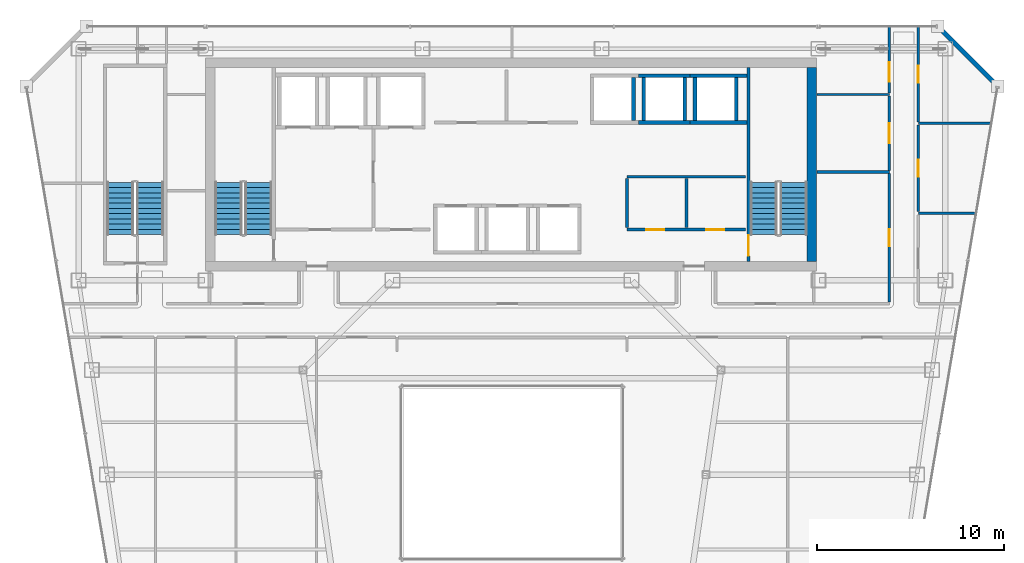
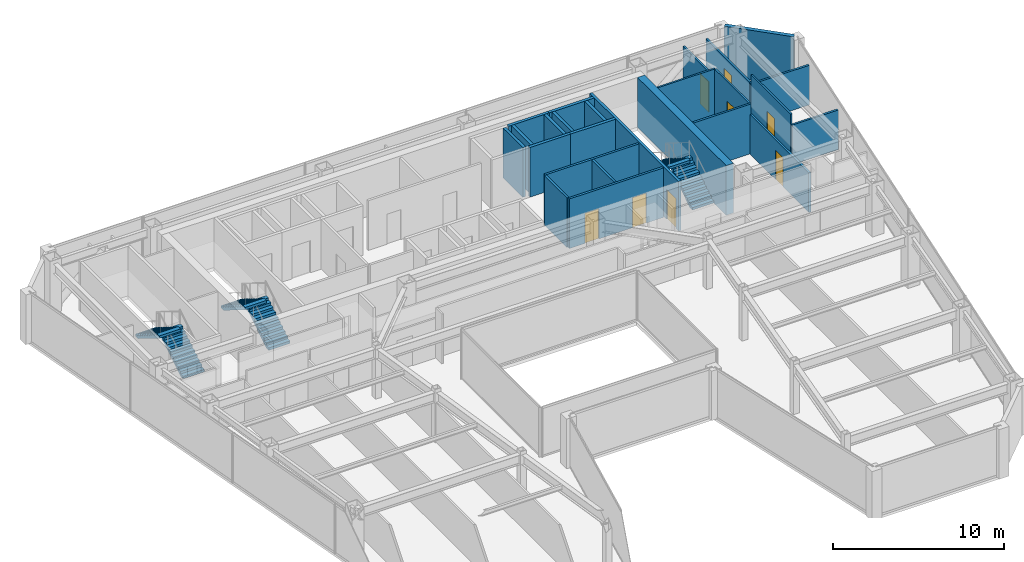
# One storey, part 32 of 36: 25 walls, 8 doors, 6 stair flights, 8 openings, 3 elements without a shape of their own.
"""IFC4 building model written with IfcOpenShell, lengths in metres."""

from ifc_helpers import new_model, si_unit, direction, frame, frame_2d, origin, place, context, subcontext, project, spatial, polyline, rectangle, outline, extrude, material, layer, layer_set, type_object, element, fill, aggregate, save


model = new_model("IFC4")

# Units and contexts
model_context = context("Model", 3, precision=1e-05, world=origin(), true_north=direction((0.0, 1.0)))
body_context = subcontext(model_context, "Body", "Model", "MODEL_VIEW")
ifc_project = project(units=[si_unit("LENGTHUNIT", "METRE"), si_unit("AREAUNIT", "SQUARE_METRE"), si_unit("VOLUMEUNIT", "CUBIC_METRE"), si_unit("PLANEANGLEUNIT", "RADIAN"), si_unit("MASSUNIT", "GRAM", prefix="KILO")], contexts=[model_context])

# Site, building, storey
site_placement = place(None, origin())
site = spatial("IfcSite", under=ifc_project, at=site_placement, CompositionType="ELEMENT")
building_placement = place(site_placement, origin())
building = spatial("IfcBuilding", under=site, at=building_placement, Name="Saevonmaru Cultural Tower", CompositionType="ELEMENT")
storey_placement = place(building_placement, frame((0.0, 0.0, 198.0)))
storey = spatial("IfcBuildingStorey", under=building, at=storey_placement, Name="L45", CompositionType="ELEMENT", Elevation=198.0)

# Wall
ifc_material_1 = material(Name="Concrete C60/75", Category="concrete")
ifc_layer_1 = layer(ifc_material_1, 0.5, Name="Concrete C60/75")
ifc_layer_set_1 = layer_set([ifc_layer_1], Name="Concrete C60/75")
wall_type_1 = type_object("IfcWallType", Name="WL-CORE-500", PredefinedType="SHEAR", material=ifc_layer_set_1)
wall_1_placement = place(storey_placement, frame((46.050048828125, 43.39990234375, 0.0), z_axis=(0.0, 0.0, 1.0), x_axis=(0.0, 1.0, 0.0)))
element("IfcWall", 1, at=wall_1_placement, inside=storey, type_object=wall_type_1, Name="L45 Tower RC core shear wall E", PredefinedType="SHEAR", context=body_context, shape_type="SweptSolid", body=[
    extrude(rectangle(XDim=10.400146484375, YDim=0.5, at=frame_2d((5.2001953125, 0.0))), origin(), (0.0, 0.0, 1.0), 3.550048828125),
])

# Wall, openings, doors
ifc_material_2 = material(Name="Gypsum Fireboard Partition", Category="gypsum")
ifc_layer_2 = layer(ifc_material_2, 0.14990234375, Name="Gypsum Fireboard Partition")
ifc_layer_set_2 = layer_set([ifc_layer_2], Name="Gypsum Fireboard Partition")
wall_type_2 = type_object("IfcWallType", Name="WL-CORE-PART-150", PredefinedType="PARTITIONING", material=ifc_layer_set_2)
wall_2_placement = place(storey_placement, frame((36.14990234375, 45.1201171875, 0.0), z_axis=(0.0, 0.0, 1.0), x_axis=(1.0, 0.0, 0.0)))
wall_2 = element("IfcWall", 2, at=wall_2_placement, inside=storey, type_object=wall_type_2, Name="L45 Core Cluster South Wall", PredefinedType="PARTITIONING", context=body_context, shape_type="SweptSolid", body=[
    extrude(rectangle(XDim=6.35009765625, YDim=0.14990234375, at=frame_2d((3.175048828125, 0.0))), origin(), (0.0, 0.0, 1.0), 3.550048828125),
])
opening_1_placement = place(wall_2_placement, frame((1.050048828125, 0.0, 0.0)))
opening_1 = element("IfcOpeningElement", 3, at=opening_1_placement, cuts=wall_2, Name="Opening FD-4", PredefinedType="OPENING", context=body_context, shape_type="SweptSolid", body=[
    extrude(rectangle(XDim=0.949951171875, YDim=2.14990234375, at=frame_2d((0.47509765625, 1.074951171875))), frame((0.0, 0.0849609375, 0.0), z_axis=(0.0, -1.0, 0.0), x_axis=(1.0, 0.0, 0.0)), (0.0, 0.0, 1.0), 0.169921875),
])
opening_2_placement = place(wall_2_placement, frame((4.25, 0.0, 0.0)))
opening_2 = element("IfcOpeningElement", 4, at=opening_2_placement, cuts=wall_2, Name="Opening FD-4", PredefinedType="OPENING", context=body_context, shape_type="SweptSolid", body=[
    extrude(rectangle(XDim=0.949951171875, YDim=2.14990234375, at=frame_2d((0.47509765625, 1.074951171875))), frame((0.0, 0.0849609375, 0.0), z_axis=(0.0, -1.0, 0.0), x_axis=(1.0, 0.0, 0.0)), (0.0, 0.0, 1.0), 0.169921875),
])
ifc_material_3 = material(Name="Satin Bronze Anodised Aluminium", Category="aluminium")
door_type_1 = type_object("IfcDoorType", Name="DR-FD60-950", OperationType="SINGLE_SWING_LEFT", PredefinedType="DOOR", material=ifc_material_3)
door_1_placement = place(opening_1_placement, origin())
door_1 = element("IfcDoor", 5, at=door_1_placement, inside=storey, type_object=door_type_1, Name="L45 BMS Control Room Door", OperationType="SINGLE_SWING_LEFT", OverallHeight=2.14990234375, OverallWidth=0.949951171875, PredefinedType="DOOR", context=body_context, shape_type="SweptSolid", body=[
    extrude(rectangle(XDim=0.949951171875, YDim=2.14990234375, at=frame_2d((0.47509765625, 1.074951171875))), frame((0.0, 0.02490234375, 0.0), z_axis=(0.0, -1.0, 0.0), x_axis=(1.0, 0.0, 0.0)), (0.0, 0.0, 1.0), 0.050048828125),
])
fill(opening_1, door_1)
door_2_placement = place(opening_2_placement, origin())
door_2 = element("IfcDoor", 6, at=door_2_placement, inside=storey, type_object=door_type_1, Name="L45 Fibre Node Plant Door", OperationType="SINGLE_SWING_LEFT", OverallHeight=2.14990234375, OverallWidth=0.949951171875, PredefinedType="DOOR", context=body_context, shape_type="SweptSolid", body=[
    extrude(rectangle(XDim=0.949951171875, YDim=2.14990234375, at=frame_2d((0.47509765625, 1.074951171875))), frame((0.0, 0.02490234375, 0.0), z_axis=(0.0, -1.0, 0.0), x_axis=(1.0, 0.0, 0.0)), (0.0, 0.0, 1.0), 0.050048828125),
])
fill(opening_2, door_2)

# Walls
wall_3_placement = place(storey_placement, frame((36.14990234375, 47.949951171875, 0.0), z_axis=(0.0, 0.0, 1.0), x_axis=(1.0, 0.0, 0.0)))
element("IfcWall", 7, at=wall_3_placement, inside=storey, type_object=wall_type_2, Name="L45 Core Cluster North Wall", PredefinedType="PARTITIONING", context=body_context, shape_type="SweptSolid", body=[
    extrude(rectangle(XDim=6.35009765625, YDim=0.14990234375, at=frame_2d((3.175048828125, 0.0))), origin(), (0.0, 0.0, 1.0), 3.550048828125),
])
for number, where, z_axis, x_axis, name in (
    (8, (36.14990234375, 45.219970703125, 0.0), (0.0, 0.0, 1.0), (0.0, 1.0, 0.0), "L45 Core Cluster West Wall"),
    (9, (39.35009765625, 45.219970703125, 0.0), (0.0, 0.0, 1.0), (0.0, 1.0, 0.0), "L45 Core Cluster Inner Split"),
):
    element("IfcWall", number, at=place(storey_placement, frame(where, z_axis=z_axis, x_axis=x_axis)), inside=storey, type_object=wall_type_2, Name=name, PredefinedType="PARTITIONING", context=body_context, shape_type="SweptSolid", body=[
        extrude(rectangle(XDim=2.630126953125, YDim=0.14990234375, at=frame_2d((1.31494140625, 0.0))), origin(), (0.0, 0.0, 1.0), 3.550048828125),
    ])
ifc_material_4 = material(Name="Granite-Clad Precast Concrete C40/50", Category="masonry")
ifc_layer_3 = layer(ifc_material_4, 0.260009765625, Name="Granite-Clad Precast Concrete C40/50")
ifc_layer_set_3 = layer_set([ifc_layer_3], Name="Granite-Clad Precast Concrete C40/50")
wall_type_3 = type_object("IfcWallType", Name="WL-EXT-SPANDREL-260", PredefinedType="STANDARD", material=ifc_layer_set_3)
wall_4_placement = place(storey_placement, frame((55.886962890625, 52.9130859375, 0.0), z_axis=(0.0, 0.0, 1.0), x_axis=(-0.707106781187, 0.707106781187, 0.0)))
element("IfcWall", 10, at=wall_4_placement, inside=storey, type_object=wall_type_3, Name="L45 Chamfer Corner Spandrel Wall E9", PredefinedType="STANDARD", context=body_context, shape_type="SweptSolid", body=[
    extrude(rectangle(XDim=4.205810546875, YDim=0.260009765625, at=frame_2d((2.10302734375, 0.0))), origin(), (0.0, 0.0, 1.0), 3.550048828125),
])
ifc_layer_4 = layer(ifc_material_2, 0.1201171875, Name="Gypsum Fireboard Partition")
ifc_layer_set_4 = layer_set([ifc_layer_4], Name="Gypsum Fireboard Partition")
wall_type_4 = type_object("IfcWallType", Name="WL-PART-GYP-120", PredefinedType="PARTITIONING", material=ifc_layer_set_4)
wall_5_placement = place(storey_placement, frame((46.320068359375, 52.35009765625, 0.0), z_axis=(0.0, 0.0, 1.0), x_axis=(1.0, 0.0, 0.0)))
element("IfcWall", 11, at=wall_5_placement, inside=storey, type_object=wall_type_4, Name="L45 North-East Panorama South Wall", PredefinedType="PARTITIONING", context=body_context, shape_type="SweptSolid", body=[
    extrude(rectangle(XDim=3.8798828125, YDim=0.1201171875, at=frame_2d((1.93994140625, 0.0))), origin(), (0.0, 0.0, 1.0), 3.550048828125),
])

# Wall, opening, door
wall_6_placement = place(storey_placement, frame((50.199951171875, 48.2900390625, 0.0), z_axis=(0.0, 0.0, 1.0), x_axis=(0.0, 1.0, 0.0)))
wall_6 = element("IfcWall", 12, at=wall_6_placement, inside=storey, type_object=wall_type_4, Name="L45 Rare Manuscript Reading Room Corridor Wall", PredefinedType="PARTITIONING", context=body_context, shape_type="SweptSolid", body=[
    extrude(rectangle(XDim=3.97998046875, YDim=0.1201171875, at=frame_2d((1.989990234375, 0.0))), origin(), (0.0, 0.0, 1.0), 3.550048828125),
])
opening_3_placement = place(wall_6_placement, frame((1.465087890625, 0.0, 0.0)))
opening_3 = element("IfcOpeningElement", 13, at=opening_3_placement, cuts=wall_6, Name="Opening ID-1", PredefinedType="OPENING", context=body_context, shape_type="SweptSolid", body=[
    extrude(rectangle(XDim=1.050048828125, YDim=2.14990234375, at=frame_2d((0.52490234375, 1.074951171875))), frame((0.0, 0.070068359375, 0.0), z_axis=(0.0, -1.0, 0.0), x_axis=(1.0, 0.0, 0.0)), (0.0, 0.0, 1.0), 0.14013671875),
])
door_type_2 = type_object("IfcDoorType", Name="DR-INT-1050", OperationType="SINGLE_SWING_LEFT", PredefinedType="DOOR", material=ifc_material_3)
door_3_placement = place(opening_3_placement, origin())
door_3 = element("IfcDoor", 14, at=door_3_placement, inside=storey, type_object=door_type_2, Name="L45 Rare Manuscript Reading Room Door", OperationType="SINGLE_SWING_LEFT", OverallHeight=2.14990234375, OverallWidth=1.050048828125, PredefinedType="DOOR", context=body_context, shape_type="SweptSolid", body=[
    extrude(rectangle(XDim=1.050048828125, YDim=2.14990234375, at=frame_2d((0.52490234375, 1.074951171875))), frame((0.0, 0.02490234375, 0.0), z_axis=(0.0, -1.0, 0.0), x_axis=(1.0, 0.0, 0.0)), (0.0, 0.0, 1.0), 0.050048828125),
])
fill(opening_3, door_3)

wall_7_placement = place(storey_placement, frame((50.199951171875, 52.429931640625, 0.0), z_axis=(0.0, 0.0, 1.0), x_axis=(0.0, 1.0, 0.0)))
wall_7 = element("IfcWall", 15, at=wall_7_placement, inside=storey, type_object=wall_type_4, Name="L45 Cartographic Study Library Corridor Wall", PredefinedType="PARTITIONING", context=body_context, shape_type="SweptSolid", body=[
    extrude(rectangle(XDim=3.565185546875, YDim=0.1201171875, at=frame_2d((1.78271484375, 0.0))), origin(), (0.0, 0.0, 1.0), 2.93505859375),
])
opening_4_placement = place(wall_7_placement, frame((0.596923828125, 0.0, 0.0)))
opening_4 = element("IfcOpeningElement", 16, at=opening_4_placement, cuts=wall_7, Name="Opening ID-1", PredefinedType="OPENING", context=body_context, shape_type="SweptSolid", body=[
    extrude(rectangle(XDim=1.050048828125, YDim=2.14990234375, at=frame_2d((0.52490234375, 1.074951171875))), frame((0.0, 0.070068359375, 0.0), z_axis=(0.0, -1.0, 0.0), x_axis=(1.0, 0.0, 0.0)), (0.0, 0.0, 1.0), 0.14013671875),
])
door_4_placement = place(opening_4_placement, origin())
door_4 = element("IfcDoor", 17, at=door_4_placement, inside=storey, type_object=door_type_2, Name="L45 Cartographic Study Library Door", OperationType="SINGLE_SWING_RIGHT", OverallHeight=2.14990234375, OverallWidth=1.050048828125, PredefinedType="DOOR", context=body_context, shape_type="SweptSolid", body=[
    extrude(rectangle(XDim=1.050048828125, YDim=2.14990234375, at=frame_2d((0.52490234375, 1.074951171875))), frame((0.0, 0.02490234375, 0.0), z_axis=(0.0, -1.0, 0.0), x_axis=(1.0, 0.0, 0.0)), (0.0, 0.0, 1.0), 0.050048828125),
])
fill(opening_4, door_4)

wall_8_placement = place(storey_placement, frame((51.75, 46.08740234375, 0.0), z_axis=(0.0, 0.0, 1.0), x_axis=(0.0, 1.0, 0.0)))
wall_8 = element("IfcWall", 18, at=wall_8_placement, inside=storey, type_object=wall_type_4, Name="L45 Scholarly Colloquium Meeting Room Corridor Wall", PredefinedType="PARTITIONING", context=body_context, shape_type="SweptSolid", body=[
    extrude(rectangle(XDim=4.625, YDim=0.1201171875, at=frame_2d((2.3125, 0.0))), origin(), (0.0, 0.0, 1.0), 3.550048828125),
])
opening_5_placement = place(wall_8_placement, frame((1.863037109375, 0.0, 0.0)))
opening_5 = element("IfcOpeningElement", 19, at=opening_5_placement, cuts=wall_8, Name="Opening ID-2", PredefinedType="OPENING", context=body_context, shape_type="SweptSolid", body=[
    extrude(rectangle(XDim=0.89990234375, YDim=2.10009765625, at=frame_2d((0.449951171875, 1.050048828125))), frame((0.0, 0.070068359375, 0.0), z_axis=(0.0, -1.0, 0.0), x_axis=(1.0, 0.0, 0.0)), (0.0, 0.0, 1.0), 0.14013671875),
])
ifc_material_5 = material(Name="Acoustic Stained Oak Timber", Category="wood")
door_type_3 = type_object("IfcDoorType", Name="DR-INT-900", OperationType="SINGLE_SWING_RIGHT", PredefinedType="DOOR", material=ifc_material_5)
door_5_placement = place(opening_5_placement, origin())
door_5 = element("IfcDoor", 20, at=door_5_placement, inside=storey, type_object=door_type_3, Name="L45 Scholarly Colloquium Meeting Room Door", OperationType="SINGLE_SWING_LEFT", OverallHeight=2.10009765625, OverallWidth=0.89990234375, PredefinedType="DOOR", context=body_context, shape_type="SweptSolid", body=[
    extrude(rectangle(XDim=0.89990234375, YDim=2.10009765625, at=frame_2d((0.449951171875, 1.050048828125))), frame((0.0, 0.02490234375, 0.0), z_axis=(0.0, -1.0, 0.0), x_axis=(1.0, 0.0, 0.0)), (0.0, 0.0, 1.0), 0.050048828125),
])
fill(opening_5, door_5)

wall_9_placement = place(storey_placement, frame((51.75, 50.887451171875, 0.0), z_axis=(0.0, 0.0, 1.0), x_axis=(0.0, 1.0, 0.0)))
wall_9 = element("IfcWall", 21, at=wall_9_placement, inside=storey, type_object=wall_type_4, Name="L45 Digital Humanities Office Corridor Wall", PredefinedType="PARTITIONING", context=body_context, shape_type="SweptSolid", body=[
    extrude(rectangle(XDim=5.107666015625, YDim=0.1201171875, at=frame_2d((2.5537109375, 0.0))), origin(), (0.0, 0.0, 1.0), 2.93505859375),
])
opening_6_placement = place(wall_9_placement, frame((2.10400390625, 0.0, 0.0)))
opening_6 = element("IfcOpeningElement", 22, at=opening_6_placement, cuts=wall_9, Name="Opening ID-2", PredefinedType="OPENING", context=body_context, shape_type="SweptSolid", body=[
    extrude(rectangle(XDim=0.89990234375, YDim=2.10009765625, at=frame_2d((0.449951171875, 1.050048828125))), frame((0.0, 0.070068359375, 0.0), z_axis=(0.0, -1.0, 0.0), x_axis=(1.0, 0.0, 0.0)), (0.0, 0.0, 1.0), 0.14013671875),
])
door_6_placement = place(opening_6_placement, origin())
door_6 = element("IfcDoor", 23, at=door_6_placement, inside=storey, type_object=door_type_3, Name="L45 Digital Humanities Office Door", OperationType="SINGLE_SWING_RIGHT", OverallHeight=2.10009765625, OverallWidth=0.89990234375, PredefinedType="DOOR", context=body_context, shape_type="SweptSolid", body=[
    extrude(rectangle(XDim=0.89990234375, YDim=2.10009765625, at=frame_2d((0.449951171875, 1.050048828125))), frame((0.0, 0.02490234375, 0.0), z_axis=(0.0, -1.0, 0.0), x_axis=(1.0, 0.0, 0.0)), (0.0, 0.0, 1.0), 0.050048828125),
])
fill(opening_6, door_6)

# Walls
ifc_layer_5 = layer(ifc_material_2, 0.135009765625, Name="Gypsum Fireboard Partition")
ifc_layer_set_5 = layer_set([ifc_layer_5], Name="Gypsum Fireboard Partition")
wall_type_5 = type_object("IfcWallType", Name="WL-PART-GYP-135", PredefinedType="PARTITIONING", material=ifc_layer_set_5)
wall_10_placement = place(storey_placement, frame((51.75, 46.0, 0.0), z_axis=(0.0, 0.0, 1.0), x_axis=(1.0, 0.0, 0.0)))
element("IfcWall", 24, at=wall_10_placement, inside=storey, type_object=wall_type_5, Name="L45 NE Studio Divider 1", PredefinedType="PARTITIONING", context=body_context, shape_type="SweptSolid", body=[
    extrude(rectangle(XDim=3.09375, YDim=0.135009765625, at=frame_2d((1.546875, 0.0))), origin(), (0.0, 0.0, 1.0), 2.8349609375),
])
wall_11_placement = place(storey_placement, frame((51.75, 50.800048828125, 0.0), z_axis=(0.0, 0.0, 1.0), x_axis=(1.0, 0.0, 0.0)))
element("IfcWall", 25, at=wall_11_placement, inside=storey, type_object=wall_type_5, Name="L45 NE Studio Divider 2", PredefinedType="PARTITIONING", context=body_context, shape_type="SweptSolid", body=[
    extrude(rectangle(XDim=3.90625, YDim=0.135009765625, at=frame_2d((1.953125, 0.0))), origin(), (0.0, 0.0, 1.0), 2.8349609375),
])
ifc_layer_6 = layer(ifc_material_2, 0.139892578125, Name="Gypsum Fireboard Partition")
ifc_layer_set_6 = layer_set([ifc_layer_6], Name="Gypsum Fireboard Partition")
wall_type_6 = type_object("IfcWallType", Name="WL-PART-WET-140", PredefinedType="PARTITIONING", material=ifc_layer_set_6)
wall_12_placement = place(storey_placement, frame((46.320068359375, 48.199951171875, 0.0), z_axis=(0.0, 0.0, 1.0), x_axis=(1.0, 0.0, 0.0)))
element("IfcWall", 26, at=wall_12_placement, inside=storey, type_object=wall_type_6, Name="L45 Washroom North Wall", PredefinedType="PARTITIONING", context=body_context, shape_type="SweptSolid", body=[
    extrude(rectangle(XDim=3.8798828125, YDim=0.139892578125, at=frame_2d((1.93994140625, 0.0))), origin(), (0.0, 0.0, 1.0), 3.550048828125),
])

# Wall, opening, door
wall_13_placement = place(storey_placement, frame((50.199951171875, 41.239990234375, 0.0), z_axis=(0.0, 0.0, 1.0), x_axis=(0.0, 1.0, 0.0)))
wall_13 = element("IfcWall", 27, at=wall_13_placement, inside=storey, type_object=wall_type_6, Name="L45 Washroom Corridor Wall", PredefinedType="PARTITIONING", context=body_context, shape_type="SweptSolid", body=[
    extrude(rectangle(XDim=6.8701171875, YDim=0.139892578125, at=frame_2d((3.43505859375, 0.0))), origin(), (0.0, 0.0, 1.0), 2.8349609375),
])
opening_7_placement = place(wall_13_placement, frame((2.985107421875, 0.0, 0.0)))
opening_7 = element("IfcOpeningElement", 28, at=opening_7_placement, cuts=wall_13, Name="Opening ID-2", PredefinedType="OPENING", context=body_context, shape_type="SweptSolid", body=[
    extrude(rectangle(XDim=0.89990234375, YDim=2.10009765625, at=frame_2d((0.449951171875, 1.050048828125))), frame((0.0, 0.080078125, 0.0), z_axis=(0.0, -1.0, 0.0), x_axis=(1.0, 0.0, 0.0)), (0.0, 0.0, 1.0), 0.159912109375),
])
door_7_placement = place(opening_7_placement, origin())
door_7 = element("IfcDoor", 29, at=door_7_placement, inside=storey, type_object=door_type_3, Name="L45 Public Accessible Washrooms Door", OperationType="SINGLE_SWING_RIGHT", OverallHeight=2.10009765625, OverallWidth=0.89990234375, PredefinedType="DOOR", context=body_context, shape_type="SweptSolid", body=[
    extrude(rectangle(XDim=0.89990234375, YDim=2.10009765625, at=frame_2d((0.449951171875, 1.050048828125))), frame((0.0, 0.02490234375, 0.0), z_axis=(0.0, -1.0, 0.0), x_axis=(1.0, 0.0, 0.0)), (0.0, 0.0, 1.0), 0.050048828125),
])
fill(opening_7, door_7)

# Walls
ifc_material_6 = material(Name="Concrete C40/50", Category="concrete")
ifc_layer_7 = layer(ifc_material_6, 0.199951171875, Name="Concrete C40/50")
ifc_layer_set_7 = layer_set([ifc_layer_7], Name="Concrete C40/50")
wall_type_7 = type_object("IfcWallType", Name="WL-SHAFT-200", PredefinedType="SHEAR", material=ifc_layer_set_7)
wall_14_placement = place(storey_placement, frame((36.5, 50.949951171875, 0.0), z_axis=(0.0, 0.0, 1.0), x_axis=(0.0, 1.0, 0.0)))
element("IfcWall", 30, at=wall_14_placement, inside=storey, type_object=wall_type_7, Name="L45 Lift PL-H1 Hoistway Wall E", PredefinedType="SHEAR", context=body_context, shape_type="SweptSolid", body=[
    extrude(rectangle(XDim=2.300048828125, YDim=0.199951171875, at=frame_2d((1.14990234375, 0.0))), origin(), (0.0, 0.0, 1.0), 3.550048828125),
])
for number, where, z_axis, x_axis, name in (
    (31, (36.77490234375, 50.85009765625, 0.0), (0.0, 0.0, 1.0), (1.0, 0.0, 0.0), "L45 Lift PL-H2 Hoistway Wall S"),
    (32, (36.77490234375, 53.35009765625, 0.0), (0.0, 0.0, 1.0), (1.0, 0.0, 0.0), "L45 Lift PL-H2 Hoistway Wall N"),
):
    element("IfcWall", number, at=place(storey_placement, frame(where, z_axis=z_axis, x_axis=x_axis)), inside=storey, type_object=wall_type_7, Name=name, PredefinedType="SHEAR", context=body_context, shape_type="SweptSolid", body=[
        extrude(rectangle(XDim=2.75, YDim=0.199951171875, at=frame_2d((1.375, 0.0))), origin(), (0.0, 0.0, 1.0), 3.550048828125),
    ])
for number, where, z_axis, x_axis, name in (
    (33, (37.050048828125, 50.949951171875, 0.0), (0.0, 0.0, 1.0), (0.0, 1.0, 0.0), "L45 Lift PL-H2 Hoistway Wall W"),
    (34, (39.25, 50.949951171875, 0.0), (0.0, 0.0, 1.0), (0.0, 1.0, 0.0), "L45 Lift PL-H2 Hoistway Wall E"),
):
    element("IfcWall", number, at=place(storey_placement, frame(where, z_axis=z_axis, x_axis=x_axis)), inside=storey, type_object=wall_type_7, Name=name, PredefinedType="SHEAR", context=body_context, shape_type="SweptSolid", body=[
        extrude(rectangle(XDim=2.300048828125, YDim=0.199951171875, at=frame_2d((1.14990234375, 0.0))), origin(), (0.0, 0.0, 1.0), 3.550048828125),
    ])
for number, where, z_axis, x_axis, name in (
    (35, (39.52490234375, 50.85009765625, 0.0), (0.0, 0.0, 1.0), (1.0, 0.0, 0.0), "L45 Lift PL-H3 Hoistway Wall S"),
    (36, (39.52490234375, 53.35009765625, 0.0), (0.0, 0.0, 1.0), (1.0, 0.0, 0.0), "L45 Lift PL-H3 Hoistway Wall N"),
):
    element("IfcWall", number, at=place(storey_placement, frame(where, z_axis=z_axis, x_axis=x_axis)), inside=storey, type_object=wall_type_7, Name=name, PredefinedType="SHEAR", context=body_context, shape_type="SweptSolid", body=[
        extrude(rectangle(XDim=3.045166015625, YDim=0.199951171875, at=frame_2d((1.5224609375, 0.0))), origin(), (0.0, 0.0, 1.0), 3.550048828125),
    ])
for number, where, z_axis, x_axis, name in (
    (37, (39.800048828125, 50.949951171875, 0.0), (0.0, 0.0, 1.0), (0.0, 1.0, 0.0), "L45 Lift PL-H3 Hoistway Wall W"),
    (38, (42.0, 50.949951171875, 0.0), (0.0, 0.0, 1.0), (0.0, 1.0, 0.0), "L45 Lift PL-H3 Hoistway Wall E"),
):
    element("IfcWall", number, at=place(storey_placement, frame(where, z_axis=z_axis, x_axis=x_axis)), inside=storey, type_object=wall_type_7, Name=name, PredefinedType="SHEAR", context=body_context, shape_type="SweptSolid", body=[
        extrude(rectangle(XDim=2.300048828125, YDim=0.199951171875, at=frame_2d((1.14990234375, 0.0))), origin(), (0.0, 0.0, 1.0), 3.550048828125),
    ])

# Wall, opening, door
ifc_layer_8 = layer(ifc_material_6, 0.179931640625, Name="Concrete C40/50")
ifc_layer_set_8 = layer_set([ifc_layer_8], Name="Concrete C40/50")
wall_type_8 = type_object("IfcWallType", Name="WL-STSHAFT-180", PredefinedType="SHEAR", material=ifc_layer_set_8)
wall_15_placement = place(storey_placement, frame((42.659912109375, 53.800048828125, 0.0), z_axis=(0.0, 0.0, 1.0), x_axis=(0.0, -1.0, 0.0)))
wall_15 = element("IfcWall", 39, at=wall_15_placement, inside=storey, type_object=wall_type_8, Name="L45 Stair ST-2 Structural Shaft Wall 1", PredefinedType="SHEAR", context=body_context, shape_type="SweptSolid", body=[
    extrude(rectangle(XDim=10.400146484375, YDim=0.179931640625, at=frame_2d((5.2001953125, 0.0))), origin(), (0.0, 0.0, 1.0), 3.550048828125),
])
opening_8_placement = place(wall_15_placement, frame((8.989990234375, 0.0, 0.0)))
opening_8 = element("IfcOpeningElement", 40, at=opening_8_placement, cuts=wall_15, Name="Opening FD-2", PredefinedType="OPENING", context=body_context, shape_type="SweptSolid", body=[
    extrude(rectangle(XDim=1.10009765625, YDim=2.14990234375, at=frame_2d((0.550048828125, 1.074951171875))), frame((0.0, 0.10009765625, 0.0), z_axis=(0.0, -1.0, 0.0), x_axis=(1.0, 0.0, 0.0)), (0.0, 0.0, 1.0), 0.199951171875),
])
door_type_4 = type_object("IfcDoorType", Name="DR-FD60-1100", OperationType="SINGLE_SWING_LEFT", PredefinedType="DOOR", material=ifc_material_3)
door_8_placement = place(opening_8_placement, origin())
door_8 = element("IfcDoor", 41, at=door_8_placement, inside=storey, type_object=door_type_4, Name="L45 Protected Stair ST-2 Fire Door", OperationType="SINGLE_SWING_LEFT", OverallHeight=2.14990234375, OverallWidth=1.10009765625, PredefinedType="DOOR", context=body_context, shape_type="SweptSolid", body=[
    extrude(rectangle(XDim=1.10009765625, YDim=2.14990234375, at=frame_2d((0.550048828125, 1.074951171875))), frame((0.0, 0.02490234375, 0.0), z_axis=(0.0, -1.0, 0.0), x_axis=(1.0, 0.0, 0.0)), (0.0, 0.0, 1.0), 0.050048828125),
])
fill(opening_8, door_8)

# Stair, stair flights
stair_type = type_object("IfcStairType", Name="STR-DOGLEG-RC", PredefinedType="HALF_TURN_STAIR", material=ifc_material_6)
stair_1_placement = place(storey_placement, origin())
stair_1 = element("IfcStair", 42, at=stair_1_placement, inside=storey, type_object=stair_type, Name="L45 Protected exit stair ST-1", PredefinedType="HALF_TURN_STAIR")
ifc_material_7 = material(Name="Precast concrete C40/50", Category="concrete")
stair_flight_type = type_object("IfcStairFlightType", Name="STF-PRECAST-180", PredefinedType="STRAIGHT", material=ifc_material_7)
stair_flight_1_placement = place(storey_placement, frame((16.425048828125, 44.85009765625, 0.0), z_axis=(0.0, 0.0, 1.0), x_axis=(0.0, 1.0, 0.0)))
stair_flight_1 = element("IfcStairFlight", 43, at=stair_flight_1_placement, type_object=stair_flight_type, Name="ST-1-L45 flight 1", NumberOfRisers=11, NumberOfTreads=10, PredefinedType="STRAIGHT", RiserHeight=0.172727273, TreadLength=0.28, context=body_context, shape_type="SweptSolid", body=[
    extrude(outline(polyline([(0.0, 0.0), (0.0, 0.172607421875), (0.280029296875, 0.172607421875), (0.280029296875, 0.345458984375), (0.56005859375, 0.345458984375), (0.56005859375, 0.51806640625), (0.840087890625, 0.51806640625), (0.840087890625, 0.69091796875), (1.1201171875, 0.69091796875), (1.1201171875, 0.863525390625), (1.39990234375, 0.863525390625), (1.39990234375, 1.036376953125), (1.679931640625, 1.036376953125), (1.679931640625, 1.208984375), (1.9599609375, 1.208984375), (1.9599609375, 1.3818359375), (2.239990234375, 1.3818359375), (2.239990234375, 1.554443359375), (2.52001953125, 1.554443359375), (2.52001953125, 1.727294921875), (2.800048828125, 1.727294921875), (2.800048828125, 1.89990234375), (2.800048828125, 1.551025390625), (0.285400390625, 0.0), (0.0, 0.0)])), frame((0.0, 0.72509765625, 0.0), z_axis=(0.0, -1.0, 0.0), x_axis=(1.0, 0.0, 0.0)), (0.0, 0.0, 1.0), 1.449951171875),
])
stair_flight_2_placement = place(storey_placement, frame((14.824951171875, 47.64990234375, 1.89990234375), z_axis=(0.0, 0.0, 1.0), x_axis=(0.0, -1.0, 0.0)))
stair_flight_2 = element("IfcStairFlight", 44, at=stair_flight_2_placement, type_object=stair_flight_type, Name="ST-1-L45 flight 2", NumberOfRisers=11, NumberOfTreads=10, PredefinedType="STRAIGHT", RiserHeight=0.172727273, TreadLength=0.28, context=body_context, shape_type="SweptSolid", body=[
    extrude(outline(polyline([(0.0, 0.0), (0.0, 0.172607421875), (0.280029296875, 0.172607421875), (0.280029296875, 0.345458984375), (0.56005859375, 0.345458984375), (0.56005859375, 0.51806640625), (0.840087890625, 0.51806640625), (0.840087890625, 0.69091796875), (1.1201171875, 0.69091796875), (1.1201171875, 0.863525390625), (1.39990234375, 0.863525390625), (1.39990234375, 1.036376953125), (1.679931640625, 1.036376953125), (1.679931640625, 1.208984375), (1.9599609375, 1.208984375), (1.9599609375, 1.3818359375), (2.239990234375, 1.3818359375), (2.239990234375, 1.554443359375), (2.52001953125, 1.554443359375), (2.52001953125, 1.727294921875), (2.800048828125, 1.727294921875), (2.800048828125, 1.89990234375), (2.800048828125, 1.551025390625), (0.285400390625, 0.0), (0.0, 0.0)])), frame((0.0, 0.72509765625, 0.0), z_axis=(0.0, -1.0, 0.0), x_axis=(1.0, 0.0, 0.0)), (0.0, 0.0, 1.0), 1.449951171875),
])
aggregate(stair_1, [stair_flight_1, stair_flight_2])

stair_2_placement = place(storey_placement, origin())
stair_2 = element("IfcStair", 45, at=stair_2_placement, inside=storey, type_object=stair_type, Name="L45 Protected exit stair ST-2", PredefinedType="HALF_TURN_STAIR")
stair_flight_3_placement = place(storey_placement, frame((45.074951171875, 44.85009765625, 0.0), z_axis=(0.0, 0.0, 1.0), x_axis=(0.0, 1.0, 0.0)))
stair_flight_3 = element("IfcStairFlight", 46, at=stair_flight_3_placement, type_object=stair_flight_type, Name="ST-2-L45 flight 1", NumberOfRisers=11, NumberOfTreads=10, PredefinedType="STRAIGHT", RiserHeight=0.172727273, TreadLength=0.28, context=body_context, shape_type="SweptSolid", body=[
    extrude(outline(polyline([(0.0, 0.0), (0.0, 0.172607421875), (0.280029296875, 0.172607421875), (0.280029296875, 0.345458984375), (0.56005859375, 0.345458984375), (0.56005859375, 0.51806640625), (0.840087890625, 0.51806640625), (0.840087890625, 0.69091796875), (1.1201171875, 0.69091796875), (1.1201171875, 0.863525390625), (1.39990234375, 0.863525390625), (1.39990234375, 1.036376953125), (1.679931640625, 1.036376953125), (1.679931640625, 1.208984375), (1.9599609375, 1.208984375), (1.9599609375, 1.3818359375), (2.239990234375, 1.3818359375), (2.239990234375, 1.554443359375), (2.52001953125, 1.554443359375), (2.52001953125, 1.727294921875), (2.800048828125, 1.727294921875), (2.800048828125, 1.89990234375), (2.800048828125, 1.551025390625), (0.285400390625, 0.0), (0.0, 0.0)])), frame((0.0, 0.72509765625, 0.0), z_axis=(0.0, -1.0, 0.0), x_axis=(1.0, 0.0, 0.0)), (0.0, 0.0, 1.0), 1.449951171875),
])
stair_flight_4_placement = place(storey_placement, frame((43.47509765625, 47.64990234375, 1.89990234375), z_axis=(0.0, 0.0, 1.0), x_axis=(0.0, -1.0, 0.0)))
stair_flight_4 = element("IfcStairFlight", 47, at=stair_flight_4_placement, type_object=stair_flight_type, Name="ST-2-L45 flight 2", NumberOfRisers=11, NumberOfTreads=10, PredefinedType="STRAIGHT", RiserHeight=0.172727273, TreadLength=0.28, context=body_context, shape_type="SweptSolid", body=[
    extrude(outline(polyline([(0.0, 0.0), (0.0, 0.172607421875), (0.280029296875, 0.172607421875), (0.280029296875, 0.345458984375), (0.56005859375, 0.345458984375), (0.56005859375, 0.51806640625), (0.840087890625, 0.51806640625), (0.840087890625, 0.69091796875), (1.1201171875, 0.69091796875), (1.1201171875, 0.863525390625), (1.39990234375, 0.863525390625), (1.39990234375, 1.036376953125), (1.679931640625, 1.036376953125), (1.679931640625, 1.208984375), (1.9599609375, 1.208984375), (1.9599609375, 1.3818359375), (2.239990234375, 1.3818359375), (2.239990234375, 1.554443359375), (2.52001953125, 1.554443359375), (2.52001953125, 1.727294921875), (2.800048828125, 1.727294921875), (2.800048828125, 1.89990234375), (2.800048828125, 1.551025390625), (0.285400390625, 0.0), (0.0, 0.0)])), frame((0.0, 0.72509765625, 0.0), z_axis=(0.0, -1.0, 0.0), x_axis=(1.0, 0.0, 0.0)), (0.0, 0.0, 1.0), 1.449951171875),
])
aggregate(stair_2, [stair_flight_3, stair_flight_4])

stair_3_placement = place(storey_placement, origin())
stair_3 = element("IfcStair", 48, at=stair_3_placement, inside=storey, type_object=stair_type, Name="L45 Protected exit stair ST-3", PredefinedType="HALF_TURN_STAIR")
stair_flight_5_placement = place(storey_placement, frame((10.625, 44.85009765625, 0.0), z_axis=(0.0, 0.0, 1.0), x_axis=(0.0, 1.0, 0.0)))
stair_flight_5 = element("IfcStairFlight", 49, at=stair_flight_5_placement, type_object=stair_flight_type, Name="ST-3-L45 flight 1", NumberOfRisers=11, NumberOfTreads=10, PredefinedType="STRAIGHT", RiserHeight=0.172727273, TreadLength=0.28, context=body_context, shape_type="SweptSolid", body=[
    extrude(outline(polyline([(0.0, 0.0), (0.0, 0.172607421875), (0.280029296875, 0.172607421875), (0.280029296875, 0.345458984375), (0.56005859375, 0.345458984375), (0.56005859375, 0.51806640625), (0.840087890625, 0.51806640625), (0.840087890625, 0.69091796875), (1.1201171875, 0.69091796875), (1.1201171875, 0.863525390625), (1.39990234375, 0.863525390625), (1.39990234375, 1.036376953125), (1.679931640625, 1.036376953125), (1.679931640625, 1.208984375), (1.9599609375, 1.208984375), (1.9599609375, 1.3818359375), (2.239990234375, 1.3818359375), (2.239990234375, 1.554443359375), (2.52001953125, 1.554443359375), (2.52001953125, 1.727294921875), (2.800048828125, 1.727294921875), (2.800048828125, 1.89990234375), (2.800048828125, 1.551025390625), (0.285400390625, 0.0), (0.0, 0.0)])), frame((0.0, 0.72509765625, 0.0), z_axis=(0.0, -1.0, 0.0), x_axis=(1.0, 0.0, 0.0)), (0.0, 0.0, 1.0), 1.449951171875),
])
stair_flight_6_placement = place(storey_placement, frame((9.02490234375, 47.64990234375, 1.89990234375), z_axis=(0.0, 0.0, 1.0), x_axis=(0.0, -1.0, 0.0)))
stair_flight_6 = element("IfcStairFlight", 50, at=stair_flight_6_placement, type_object=stair_flight_type, Name="ST-3-L45 flight 2", NumberOfRisers=11, NumberOfTreads=10, PredefinedType="STRAIGHT", RiserHeight=0.172727273, TreadLength=0.28, context=body_context, shape_type="SweptSolid", body=[
    extrude(outline(polyline([(0.0, 0.0), (0.0, 0.172607421875), (0.280029296875, 0.172607421875), (0.280029296875, 0.345458984375), (0.56005859375, 0.345458984375), (0.56005859375, 0.51806640625), (0.840087890625, 0.51806640625), (0.840087890625, 0.69091796875), (1.1201171875, 0.69091796875), (1.1201171875, 0.863525390625), (1.39990234375, 0.863525390625), (1.39990234375, 1.036376953125), (1.679931640625, 1.036376953125), (1.679931640625, 1.208984375), (1.9599609375, 1.208984375), (1.9599609375, 1.3818359375), (2.239990234375, 1.3818359375), (2.239990234375, 1.554443359375), (2.52001953125, 1.554443359375), (2.52001953125, 1.727294921875), (2.800048828125, 1.727294921875), (2.800048828125, 1.89990234375), (2.800048828125, 1.551025390625), (0.285400390625, 0.0), (0.0, 0.0)])), frame((0.0, 0.72509765625, 0.0), z_axis=(0.0, -1.0, 0.0), x_axis=(1.0, 0.0, 0.0)), (0.0, 0.0, 1.0), 1.449951171875),
])
aggregate(stair_3, [stair_flight_5, stair_flight_6])

save(model, "model.ifc")
